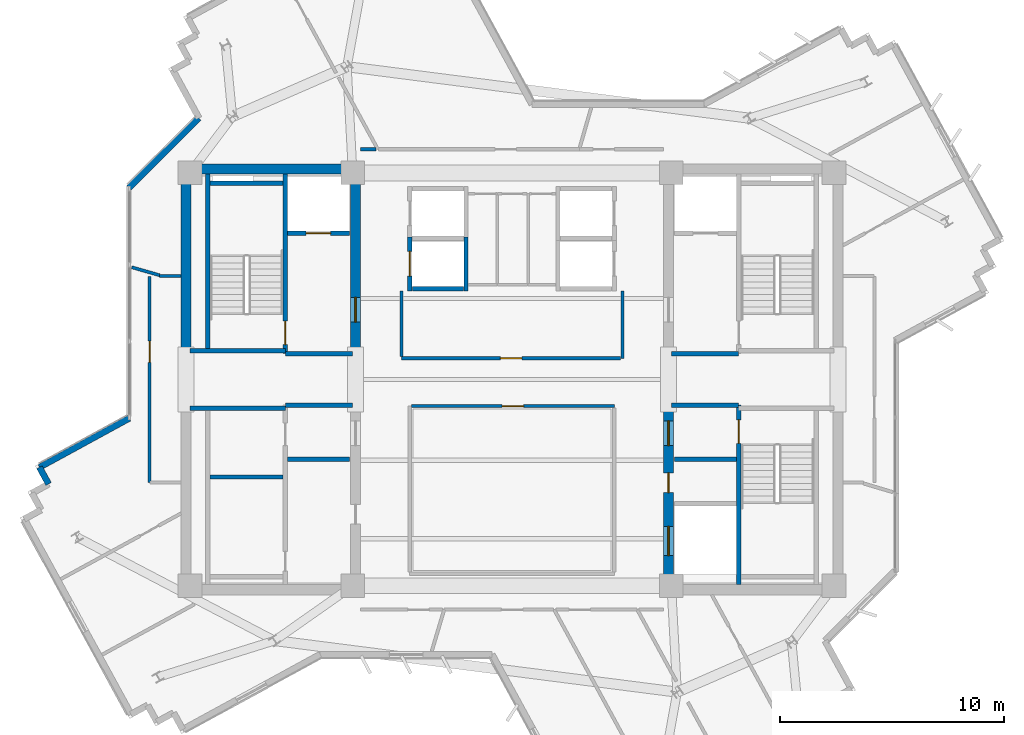
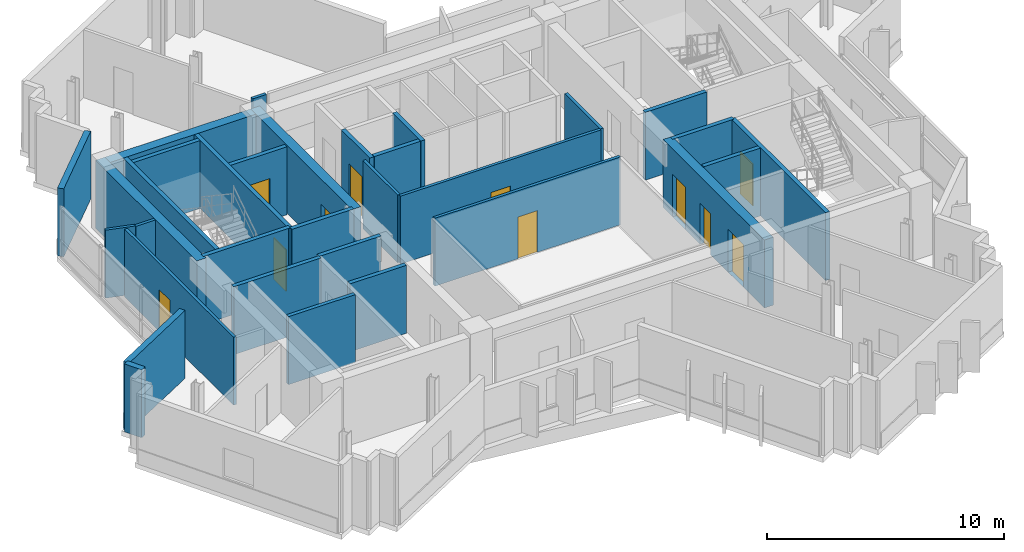
# One storey, part 6 of 13: 32 walls, 11 doors, 11 openings.
"""IFC4 building model written with IfcOpenShell, lengths in metres."""

import ifcopenshell
import ifcopenshell.guid

model = None  # the IFC model being written
_history = None  # IfcOwnerHistory: only IFC2X3 demands one
_inside = {}  # id of a spatial element -> (the spatial element, [elements in it])
_under = {}  # id of a project, library or spatial element -> (it, [spatial elements below it])
_declared = {}  # id of a project -> (the project, [libraries it declares])
_typed = {}  # id of a type object -> (the type object, [elements of that type])
_made_of = {}  # id of a material, layer set ... -> (it, [elements and type objects made of it])


def new_model(schema):
    """Start an empty IFC model of exactly this schema.

    Asked for "IFC4X3", IfcOpenShell would pick the latest addendum, in which some entities
    have other attributes; the version numbers below select the first issue.
    IFC2X3 requires an IfcOwnerHistory on every rooted entity: one is made here for all.
    """
    global model, _history
    if schema == "IFC4X3":
        model = ifcopenshell.file(schema_version=(4, 3, 0, 0))
    else:
        model = ifcopenshell.file(schema=schema)
    _inside.clear()
    _under.clear()
    _declared.clear()
    _typed.clear()
    _made_of.clear()
    _history = None
    if model.schema == "IFC2X3":
        org = make("IfcOrganization", Name="unknown")
        user = make(
            "IfcPersonAndOrganization",
            ThePerson=make("IfcPerson", FamilyName="unknown"),
            TheOrganization=org,
        )
        app = make(
            "IfcApplication",
            ApplicationDeveloper=org,
            Version="unknown",
            ApplicationFullName="unknown",
            ApplicationIdentifier="unknown",
        )
        _history = make(
            "IfcOwnerHistory",
            OwningUser=user,
            OwningApplication=app,
            ChangeAction="ADDED",
            CreationDate=0,
        )
    return model


def make(cls, **values):
    """One entity of the class cls with the attributes given. An attribute that is None is left unset."""
    return model.create_entity(
        cls, **{name: value for name, value in values.items() if value is not None}
    )


def rooted(cls, **values):
    """An entity with a GlobalId (a new one), such as an element, a storey or a relation."""
    return make(cls, GlobalId=ifcopenshell.guid.new(), OwnerHistory=_history, **values)


def si_unit(unit_type, name, prefix=None):
    """IfcSIUnit, for example si_unit("LENGTHUNIT", "METRE", prefix="MILLI")."""
    return make("IfcSIUnit", UnitType=unit_type, Prefix=prefix, Name=name)


def assignment(units):
    """IfcUnitAssignment: the units of a project."""
    return None if units is None else make("IfcUnitAssignment", Units=units)


def point(xyz):
    """IfcCartesianPoint."""
    return None if xyz is None else make("IfcCartesianPoint", Coordinates=xyz)


def direction(xyz):
    """IfcDirection."""
    return None if xyz is None else make("IfcDirection", DirectionRatios=xyz)


def frame(location, z_axis=None, x_axis=None):
    """IfcAxis2Placement3D, a coordinate frame: its origin and axes. An axis left out is left unset."""
    return make(
        "IfcAxis2Placement3D",
        Location=point(location),
        Axis=direction(z_axis),
        RefDirection=direction(x_axis),
    )


def frame_2d(location, x_axis=None):
    """IfcAxis2Placement2D, a coordinate frame in the plane: its origin and x axis."""
    return make(
        "IfcAxis2Placement2D", Location=point(location), RefDirection=direction(x_axis)
    )


def origin():
    """The frame at (0, 0, 0) with its axes left unset."""
    return frame((0.0, 0.0, 0.0))


def place(relative_to, where):
    """IfcLocalPlacement: puts the frame where relative to a parent placement (None: the world)."""
    return make(
        "IfcLocalPlacement", PlacementRelTo=relative_to, RelativePlacement=where
    )


def context(
    kind, dimensions, precision=None, world=None, true_north=None, identifier=None
):
    """IfcGeometricRepresentationContext, for example the 3D "Model" context."""
    return make(
        "IfcGeometricRepresentationContext",
        ContextIdentifier=identifier,
        ContextType=kind,
        CoordinateSpaceDimension=dimensions,
        Precision=precision,
        WorldCoordinateSystem=world,
        TrueNorth=true_north,
    )


def subcontext(parent, identifier, kind, view, scale=None):
    """IfcGeometricRepresentationSubContext, for example "Body" below "Model"."""
    return make(
        "IfcGeometricRepresentationSubContext",
        ContextIdentifier=identifier,
        ContextType=kind,
        ParentContext=parent,
        TargetScale=scale,
        TargetView=view,
    )


def project(units=None, contexts=None):
    """IfcProject with its units and contexts."""
    return rooted(
        "IfcProject",
        Name="project",
        RepresentationContexts=contexts,
        UnitsInContext=assignment(units),
    )


def spatial(cls, under=None, at=None, **own):
    """A site, building, storey or space (cls), placed at a placement, below another one or the project."""
    s = rooted(cls, ObjectPlacement=at, **own)
    if under is not None:
        _under.setdefault(under.id(), (under, []))[1].append(s)
    return s


def profile(cls, at=None, kind="AREA", **sizes):
    """A parametric profile (cls). Its sizes go by their IFC names, for example OverallWidth=200.0."""
    return make(cls, ProfileType=kind, Position=at, **sizes)


def rectangle(**sizes):
    """IfcRectangleProfileDef."""
    return profile("IfcRectangleProfileDef", **sizes)


def extrude(swept, where, along, depth):
    """IfcExtrudedAreaSolid: the profile swept, set in the frame where, extruded along a direction by depth."""
    return make(
        "IfcExtrudedAreaSolid",
        SweptArea=swept,
        Position=where,
        ExtrudedDirection=direction(along),
        Depth=depth,
    )


def shape(context_of_items, identifier, shape_type, items):
    """IfcShapeRepresentation: the items that make up one representation, for example the "Body"."""
    return make(
        "IfcShapeRepresentation",
        ContextOfItems=context_of_items,
        RepresentationIdentifier=identifier,
        RepresentationType=shape_type,
        Items=items,
    )


def source(mapping_origin, context_of_items, identifier, shape_type, items):
    """IfcRepresentationMap: a shape defined once, which mapped items show again and again."""
    return make(
        "IfcRepresentationMap",
        MappingOrigin=mapping_origin,
        MappedRepresentation=shape(context_of_items, identifier, shape_type, items),
    )


def transform(
    local_origin,
    x_axis=None,
    y_axis=None,
    z_axis=None,
    scale=None,
    scale2=None,
    scale3=None,
    uniform=True,
):
    """IfcCartesianTransformationOperator3D, or its non-uniform kind. x_axis, y_axis, z_axis: its Axis1, 2, 3."""
    if uniform:
        return make(
            "IfcCartesianTransformationOperator3D",
            Axis1=direction(x_axis),
            Axis2=direction(y_axis),
            LocalOrigin=point(local_origin),
            Scale=scale,
            Axis3=direction(z_axis),
        )
    return make(
        "IfcCartesianTransformationOperator3DnonUniform",
        Axis1=direction(x_axis),
        Axis2=direction(y_axis),
        LocalOrigin=point(local_origin),
        Scale=scale,
        Axis3=direction(z_axis),
        Scale2=scale2,
        Scale3=scale3,
    )


def mapped(mapping_source, mapping_target):
    """IfcMappedItem: shows the shape of a source again, moved by a transform."""
    return make(
        "IfcMappedItem", MappingSource=mapping_source, MappingTarget=mapping_target
    )


def material(Name=None, Category=None):
    """IfcMaterial."""
    return make("IfcMaterial", Name=Name, Category=Category)


def layer(
    of_material, thickness, ventilated=None, Name=None, Category=None, Priority=None
):
    """IfcMaterialLayer: one layer of a wall or slab, of a material (None: an air gap)."""
    return make(
        "IfcMaterialLayer",
        Material=of_material,
        LayerThickness=thickness,
        IsVentilated=ventilated,
        Name=Name,
        Category=Category,
        Priority=Priority,
    )


def layer_set(layers, Name=None):
    """IfcMaterialLayerSet."""
    return make("IfcMaterialLayerSet", MaterialLayers=layers, LayerSetName=Name)


def made_of(thing, what):
    """Note that an element or type object is made of a material, layer set ...; save() writes the relation."""
    if what is not None:
        _made_of.setdefault(what.id(), (what, []))[1].append(thing)
    return thing


def type_object(cls, material=None, **own):
    """A type object (cls), such as IfcWallType, which elements share."""
    return made_of(rooted(cls, **own), material)


def element(
    cls,
    number,
    at=None,
    inside=None,
    cuts=None,
    type_object=None,
    material=None,
    context=None,
    identifier="Body",
    shape_type=None,
    held_by="IfcProductDefinitionShape",
    body=None,
    shapes=None,
    **own,
):
    """One element of the class cls, such as IfcWall. Its Tag is "e" and its number.

    at: its placement. inside: the storey or other place that contains it. cuts: it is an
    opening in that element (IfcRelVoidsElement). A single representation is given by context,
    identifier, shape_type and body (its items); several are given by shapes. held_by: the class
    of the entity that holds the representations. save() writes the other relations.
    """
    e = rooted(cls, Tag="e%d" % number, ObjectPlacement=at, **own)
    if body is not None:
        shapes = [shape(context, identifier, shape_type, body)]
    if shapes is not None:
        e.Representation = make(held_by, Representations=shapes)
    if inside is not None:
        _inside.setdefault(inside.id(), (inside, []))[1].append(e)
    if cuts is not None:
        rooted(
            "IfcRelVoidsElement", RelatingBuildingElement=cuts, RelatedOpeningElement=e
        )
    if type_object is not None:
        _typed.setdefault(type_object.id(), (type_object, []))[1].append(e)
    return made_of(e, material)


def fill(opening, filler):
    """IfcRelFillsElement: the door or window that sits in an opening."""
    return rooted(
        "IfcRelFillsElement",
        RelatingOpeningElement=opening,
        RelatedBuildingElement=filler,
    )


def aggregate(whole, parts):
    """IfcRelAggregates: a whole, such as a stair, and the parts it consists of."""
    return rooted("IfcRelAggregates", RelatingObject=whole, RelatedObjects=parts)


def save(model, path):
    """Write the relations noted so far, then the file.

    IfcRelAggregates (storeys below a building ...), IfcRelContainedInSpatialStructure (elements
    in a storey), IfcRelDefinesByType, IfcRelAssociatesMaterial and IfcRelDeclares: one each for
    every whole, place, type object, material and project.
    """
    for whole, parts in _under.values():
        aggregate(whole, parts)
    for where, things in _inside.values():
        rooted(
            "IfcRelContainedInSpatialStructure",
            RelatedElements=things,
            RelatingStructure=where,
        )
    for kind, things in _typed.values():
        rooted("IfcRelDefinesByType", RelatedObjects=things, RelatingType=kind)
    for what, things in _made_of.values():
        rooted("IfcRelAssociatesMaterial", RelatedObjects=things, RelatingMaterial=what)
    for by, libraries in _declared.values():
        rooted("IfcRelDeclares", RelatingContext=by, RelatedDefinitions=libraries)
    model.write(path)


model = new_model("IFC4")

# Units and contexts
model_context = context("Model", 3, precision=1e-05, world=origin(), true_north=direction((0.0, 1.0)))
body_context = subcontext(model_context, "Body", "Model", "MODEL_VIEW")
ifc_project = project(units=[si_unit("LENGTHUNIT", "METRE"), si_unit("AREAUNIT", "SQUARE_METRE"), si_unit("VOLUMEUNIT", "CUBIC_METRE"), si_unit("PLANEANGLEUNIT", "RADIAN"), si_unit("MASSUNIT", "GRAM", prefix="KILO")], contexts=[model_context])

# Site, building, storey
site_placement = place(None, origin())
site = spatial("IfcSite", under=ifc_project, at=site_placement, CompositionType="ELEMENT")
building_placement = place(site_placement, origin())
building = spatial("IfcBuilding", under=site, at=building_placement, Name="Zahravan Cultural Tower", CompositionType="ELEMENT")
storey_placement = place(building_placement, frame((0.0, 0.0, 250.35009765625)))
storey = spatial("IfcBuildingStorey", under=building, at=storey_placement, Name="L59", CompositionType="ELEMENT", Elevation=250.35009765625)

# Wall, opening, door
ifc_material_1 = material(Name="Concrete C50/60", Category="concrete")
ifc_layer_1 = layer(ifc_material_1, 0.449951171875)
ifc_layer_set_1 = layer_set([ifc_layer_1], Name="Concrete C50/60")
wall_type_1 = type_object("IfcWallType", Name="CW-SHEAR-450-C50", PredefinedType="SHEAR", material=ifc_layer_set_1)
wall_1_placement = place(storey_placement, frame((29.02490234375, 28.050048828125, 0.0), z_axis=(0.0, 0.0, 1.0), x_axis=(0.0, 1.0, 0.0)))
wall_1 = element("IfcWall", 1, at=wall_1_placement, inside=storey, type_object=wall_type_1, Name="L59 Core Shear Wall CW-W-EN-L59", PredefinedType="SHEAR", context=body_context, shape_type="SweptSolid", body=[
    extrude(rectangle(XDim=8.550048828125, YDim=0.449951171875, at=frame_2d((4.27490234375, 0.0))), origin(), (0.0, 0.0, 1.0), 3.5),
])
opening_1_placement = place(wall_1_placement, frame((1.5, 0.0, 0.0)))
opening_1 = element("IfcOpeningElement", 2, at=opening_1_placement, cuts=wall_1, Name="Opening D-L59-06", PredefinedType="OPENING", context=body_context, shape_type="SweptSolid", body=[
    extrude(rectangle(XDim=1.10009765625, YDim=2.199951171875, at=frame_2d((0.550048828125, 1.10009765625))), frame((0.0, 0.23486328125, 0.0), z_axis=(0.0, -1.0, 0.0), x_axis=(1.0, 0.0, 0.0)), (0.0, 0.0, 1.0), 0.469970703125),
])
ifc_material_2 = material(Name="Steel ASTM A572 Grade 50", Category="steel")
door_type_1 = type_object("IfcDoorType", Name="DR-LOBBY-1100", OperationType="NOTDEFINED", PredefinedType="DOOR", material=ifc_material_2)
shared_shape_1 = source(origin(), body_context, "Body", "SweptSolid", [
    extrude(rectangle(XDim=1.10009765625, YDim=2.199951171875, at=frame_2d((0.550048828125, 1.10009765625))), frame((0.0, 0.02490234375, 0.0), z_axis=(0.0, -1.0, 0.0), x_axis=(1.0, 0.0, 0.0)), (0.0, 0.0, 1.0), 0.050048828125),
])
door_1_placement = place(opening_1_placement, origin())
door_1 = element("IfcDoor", 3, at=door_1_placement, inside=storey, type_object=door_type_1, Name="L59 Door D-L59-06", OperationType="SINGLE_SWING_RIGHT", OverallHeight=2.199951171875, OverallWidth=1.10009765625, PredefinedType="DOOR", context=body_context, shape_type="MappedRepresentation", body=[
    mapped(shared_shape_1, transform((0.0, 0.0, 0.0), x_axis=(1.0, 0.0, 0.0), y_axis=(0.0, 1.0, 0.0), z_axis=(0.0, 0.0, 1.0), scale=1.0)),
])
fill(opening_1, door_1)

# Wall, openings, doors
wall_2_placement = place(storey_placement, frame((42.97509765625, 17.39990234375, 0.0), z_axis=(0.0, 0.0, 1.0), x_axis=(0.0, 1.0, 0.0)))
wall_2 = element("IfcWall", 4, at=wall_2_placement, inside=storey, type_object=wall_type_1, Name="L59 Core Shear Wall CW-E-WS-L59", PredefinedType="SHEAR", context=body_context, shape_type="SweptSolid", body=[
    extrude(rectangle(XDim=8.550048828125, YDim=0.449951171875, at=frame_2d((4.27490234375, 0.0))), origin(), (0.0, 0.0, 1.0), 3.5),
])
opening_2_placement = place(wall_2_placement, frame((6.64990234375, 0.0, 0.0)))
opening_2 = element("IfcOpeningElement", 5, at=opening_2_placement, cuts=wall_2, Name="Opening D-L59-09", PredefinedType="OPENING", context=body_context, shape_type="SweptSolid", body=[
    extrude(rectangle(XDim=1.10009765625, YDim=2.199951171875, at=frame_2d((0.550048828125, 1.10009765625))), frame((0.0, 0.23486328125, 0.0), z_axis=(0.0, -1.0, 0.0), x_axis=(1.0, 0.0, 0.0)), (0.0, 0.0, 1.0), 0.469970703125),
])
opening_3_placement = place(wall_2_placement, frame((1.75, 0.0, 0.0)))
opening_3 = element("IfcOpeningElement", 6, at=opening_3_placement, cuts=wall_2, Name="Opening LD-L59-03", PredefinedType="OPENING", context=body_context, shape_type="SweptSolid", body=[
    extrude(rectangle(XDim=1.300048828125, YDim=2.199951171875, at=frame_2d((0.64990234375, 1.10009765625))), frame((0.0, 0.23486328125, 0.0), z_axis=(0.0, -1.0, 0.0), x_axis=(1.0, 0.0, 0.0)), (0.0, 0.0, 1.0), 0.469970703125),
])
opening_4_placement = place(wall_2_placement, frame((4.550048828125, 0.0, 0.0)))
opening_4 = element("IfcOpeningElement", 7, at=opening_4_placement, cuts=wall_2, Name="Opening D-L59-11", PredefinedType="OPENING", context=body_context, shape_type="SweptSolid", body=[
    extrude(rectangle(XDim=0.8798828125, YDim=2.10009765625, at=frame_2d((0.43994140625, 1.050048828125))), frame((0.0, 0.23486328125, 0.0), z_axis=(0.0, -1.0, 0.0), x_axis=(1.0, 0.0, 0.0)), (0.0, 0.0, 1.0), 0.469970703125),
])
door_2_placement = place(opening_2_placement, origin())
door_2 = element("IfcDoor", 8, at=door_2_placement, inside=storey, type_object=door_type_1, Name="L59 Door D-L59-09", OperationType="SINGLE_SWING_LEFT", OverallHeight=2.199951171875, OverallWidth=1.10009765625, PredefinedType="DOOR", context=body_context, shape_type="MappedRepresentation", body=[
    mapped(shared_shape_1, transform((0.0, 0.0, 0.0), x_axis=(1.0, 0.0, 0.0), y_axis=(0.0, 1.0, 0.0), z_axis=(0.0, 0.0, 1.0), scale=1.0)),
])
fill(opening_2, door_2)
door_type_2 = type_object("IfcDoorType", Name="DR-LIFT-1300", OperationType="DOUBLE_DOOR_SLIDING", PredefinedType="DOOR", material=ifc_material_2)
shared_shape_2 = source(origin(), body_context, "Body", "SweptSolid", [
    extrude(rectangle(XDim=1.300048828125, YDim=2.199951171875, at=frame_2d((0.64990234375, 1.10009765625))), frame((0.0, 0.02490234375, 0.0), z_axis=(0.0, -1.0, 0.0), x_axis=(1.0, 0.0, 0.0)), (0.0, 0.0, 1.0), 0.050048828125),
])
door_3_placement = place(opening_3_placement, origin())
door_3 = element("IfcDoor", 9, at=door_3_placement, inside=storey, type_object=door_type_2, Name="L59 Door LD-L59-03", OperationType="DOUBLE_DOOR_SLIDING", OverallHeight=2.199951171875, OverallWidth=1.300048828125, PredefinedType="DOOR", context=body_context, shape_type="MappedRepresentation", body=[
    mapped(shared_shape_2, transform((0.0, 0.0, 0.0), x_axis=(1.0, 0.0, 0.0), y_axis=(0.0, 1.0, 0.0), z_axis=(0.0, 0.0, 1.0), scale=1.0)),
])
fill(opening_3, door_3)
door_type_3 = type_object("IfcDoorType", Name="DR-SVC-880", OperationType="NOTDEFINED", PredefinedType="DOOR", material=ifc_material_2)
shared_shape_3 = source(origin(), body_context, "Body", "SweptSolid", [
    extrude(rectangle(XDim=0.8798828125, YDim=2.10009765625, at=frame_2d((0.43994140625, 1.050048828125))), frame((0.0, 0.02490234375, 0.0), z_axis=(0.0, -1.0, 0.0), x_axis=(1.0, 0.0, 0.0)), (0.0, 0.0, 1.0), 0.050048828125),
])
door_4_placement = place(opening_4_placement, origin())
door_4 = element("IfcDoor", 10, at=door_4_placement, inside=storey, type_object=door_type_3, Name="L59 Door D-L59-11", OperationType="SINGLE_SWING_LEFT", OverallHeight=2.10009765625, OverallWidth=0.8798828125, PredefinedType="DOOR", context=body_context, shape_type="MappedRepresentation", body=[
    mapped(shared_shape_3, transform((0.0, 0.0, 0.0), x_axis=(1.0, 0.0, 0.0), y_axis=(0.0, 1.0, 0.0), z_axis=(0.0, 0.0, 1.0), scale=1.0)),
])
fill(opening_4, door_4)

# Wall, opening, door
ifc_material_3 = material(Name="Gypsum plasterboard partition")
ifc_layer_2 = layer(ifc_material_3, 0.139892578125)
ifc_layer_set_2 = layer_set([ifc_layer_2], Name="Gypsum plasterboard partition")
wall_type_2 = type_object("IfcWallType", Name="W-PART-140", PredefinedType="PARTITIONING", material=ifc_layer_set_2)
wall_3_placement = place(storey_placement, frame((40.844970703125, 27.93994140625, 0.0), z_axis=(0.0, 0.0, 1.0), x_axis=(-1.0, 0.0, 0.0)))
wall_3 = element("IfcWall", 11, at=wall_3_placement, inside=storey, type_object=wall_type_2, Name="L59 Interior Wall 058", PredefinedType="PARTITIONING", context=body_context, shape_type="SweptSolid", body=[
    extrude(rectangle(XDim=9.764892578125, YDim=0.139892578125, at=frame_2d((4.88232421875, 0.0))), origin(), (0.0, 0.0, 1.0), 3.5),
])
opening_5_placement = place(wall_3_placement, frame((4.407470703125, 0.0, 0.0)))
opening_5 = element("IfcOpeningElement", 12, at=opening_5_placement, cuts=wall_3, Name="Opening D-L59-16", PredefinedType="OPENING", context=body_context, shape_type="SweptSolid", body=[
    extrude(rectangle(XDim=0.949951171875, YDim=2.14990234375, at=frame_2d((0.47509765625, 1.074951171875))), frame((0.0, 0.079833984375, 0.0), z_axis=(0.0, -1.0, 0.0), x_axis=(1.0, 0.0, 0.0)), (0.0, 0.0, 1.0), 0.159912109375),
])
ifc_material_4 = material(Name="Anodised bronze-aluminium mullion", Category="aluminium")
door_type_4 = type_object("IfcDoorType", Name="DR-ROOM-950", OperationType="NOTDEFINED", PredefinedType="DOOR", material=ifc_material_4)
shared_shape_4 = source(origin(), body_context, "Body", "SweptSolid", [
    extrude(rectangle(XDim=0.949951171875, YDim=2.14990234375, at=frame_2d((0.47509765625, 1.074951171875))), frame((0.0, 0.02490234375, 0.0), z_axis=(0.0, -1.0, 0.0), x_axis=(1.0, 0.0, 0.0)), (0.0, 0.0, 1.0), 0.050048828125),
])
door_5_placement = place(opening_5_placement, origin())
door_5 = element("IfcDoor", 13, at=door_5_placement, inside=storey, type_object=door_type_4, Name="L59 Door D-L59-16", OperationType="SINGLE_SWING_RIGHT", OverallHeight=2.14990234375, OverallWidth=0.949951171875, PredefinedType="DOOR", context=body_context, shape_type="MappedRepresentation", body=[
    mapped(shared_shape_4, transform((0.0, 0.0, 0.0), x_axis=(1.0, 0.0, 0.0), y_axis=(0.0, 1.0, 0.0), z_axis=(0.0, 0.0, 1.0), scale=1.0)),
])
fill(opening_5, door_5)

wall_4_placement = place(storey_placement, frame((19.85009765625, 31.593994140625, 0.0), z_axis=(0.0, 0.0, 1.0), x_axis=(2.657666e-05, -0.999999999647, 0.0)))
wall_4 = element("IfcWall", 14, at=wall_4_placement, inside=storey, type_object=wall_type_2, Name="L59 Interior Wall 064", PredefinedType="PARTITIONING", context=body_context, shape_type="SweptSolid", body=[
    extrude(rectangle(XDim=9.186279296875, YDim=0.139892578125, at=frame_2d((4.59326171875, 0.0))), origin(), (0.0, 0.0, 1.0), 3.5),
])
opening_6_placement = place(wall_4_placement, frame((2.8828125, 0.0, 0.0)))
opening_6 = element("IfcOpeningElement", 15, at=opening_6_placement, cuts=wall_4, Name="Opening D-L59-20", PredefinedType="OPENING", context=body_context, shape_type="SweptSolid", body=[
    extrude(rectangle(XDim=0.949951171875, YDim=2.14990234375, at=frame_2d((0.47509765625, 1.074951171875))), frame((0.0, 0.079833984375, 0.0), z_axis=(0.0, -1.0, 0.0), x_axis=(1.0, 0.0, 0.0)), (0.0, 0.0, 1.0), 0.159912109375),
])
door_6_placement = place(opening_6_placement, origin())
door_6 = element("IfcDoor", 16, at=door_6_placement, inside=storey, type_object=door_type_4, Name="L59 Door D-L59-20", OperationType="SINGLE_SWING_RIGHT", OverallHeight=2.14990234375, OverallWidth=0.949951171875, PredefinedType="DOOR", context=body_context, shape_type="MappedRepresentation", body=[
    mapped(shared_shape_4, transform((0.0, 0.0, 0.0), x_axis=(1.0, 0.0, 0.0), y_axis=(0.0, 1.0, 0.0), z_axis=(0.0, 0.0, 1.0), scale=1.0)),
])
fill(opening_6, door_6)

wall_5_placement = place(storey_placement, frame((31.514892578125, 25.81005859375, 0.0), z_axis=(0.0, 0.0, 1.0), x_axis=(1.0, 0.0, 0.0)))
wall_5 = element("IfcWall", 17, at=wall_5_placement, inside=storey, type_object=wall_type_2, Name="L59 Interior Wall 083", PredefinedType="PARTITIONING", context=body_context, shape_type="SweptSolid", body=[
    extrude(rectangle(XDim=9.045166015625, YDim=0.139892578125, at=frame_2d((4.5224609375, 0.0))), origin(), (0.0, 0.0, 1.0), 3.5),
])
opening_7_placement = place(wall_5_placement, frame((4.047607421875, 0.0, 0.0)))
opening_7 = element("IfcOpeningElement", 18, at=opening_7_placement, cuts=wall_5, Name="Opening D-L59-12", PredefinedType="OPENING", context=body_context, shape_type="SweptSolid", body=[
    extrude(rectangle(XDim=0.949951171875, YDim=2.14990234375, at=frame_2d((0.47509765625, 1.074951171875))), frame((0.0, 0.079833984375, 0.0), z_axis=(0.0, -1.0, 0.0), x_axis=(1.0, 0.0, 0.0)), (0.0, 0.0, 1.0), 0.159912109375),
])
door_7_placement = place(opening_7_placement, origin())
door_7 = element("IfcDoor", 19, at=door_7_placement, inside=storey, type_object=door_type_4, Name="L59 Door D-L59-12", OperationType="SINGLE_SWING_RIGHT", OverallHeight=2.14990234375, OverallWidth=0.949951171875, PredefinedType="DOOR", context=body_context, shape_type="MappedRepresentation", body=[
    mapped(shared_shape_4, transform((0.0, 0.0, 0.0), x_axis=(1.0, 0.0, 0.0), y_axis=(0.0, 1.0, 0.0), z_axis=(0.0, 0.0, 1.0), scale=1.0)),
])
fill(opening_7, door_7)

ifc_material_5 = material(Name="Concrete C45/55", Category="concrete")
ifc_layer_3 = layer(ifc_material_5, 0.199951171875)
ifc_layer_set_3 = layer_set([ifc_layer_3], Name="Concrete C45/55")
wall_type_3 = type_object("IfcWallType", Name="W-SHAFT-200", PredefinedType="SOLIDWALL", material=ifc_layer_set_3)
wall_6_placement = place(storey_placement, frame((25.89990234375, 28.14990234375, 0.0), z_axis=(0.0, 0.0, 1.0), x_axis=(0.0, 1.0, 0.0)))
wall_6 = element("IfcWall", 20, at=wall_6_placement, inside=storey, type_object=wall_type_3, Name="L59 Interior Wall 006", PredefinedType="SOLIDWALL", context=body_context, shape_type="SweptSolid", body=[
    extrude(rectangle(XDim=8.0, YDim=0.199951171875, at=frame_2d((4.0, 0.0))), origin(), (0.0, 0.0, 1.0), 3.5),
])
opening_8_placement = place(wall_6_placement, frame((0.39990234375, 0.0, 0.0)))
opening_8 = element("IfcOpeningElement", 21, at=opening_8_placement, cuts=wall_6, Name="Opening D-L59-01", PredefinedType="OPENING", context=body_context, shape_type="SweptSolid", body=[
    extrude(rectangle(XDim=1.050048828125, YDim=2.14990234375, at=frame_2d((0.52490234375, 1.074951171875))), frame((0.0, 0.10986328125, 0.0), z_axis=(0.0, -1.0, 0.0), x_axis=(1.0, 0.0, 0.0)), (0.0, 0.0, 1.0), 0.219970703125),
])
door_type_5 = type_object("IfcDoorType", Name="DR-STAIR-1050", OperationType="NOTDEFINED", PredefinedType="DOOR", material=ifc_material_2)
shared_shape_5 = source(origin(), body_context, "Body", "SweptSolid", [
    extrude(rectangle(XDim=1.050048828125, YDim=2.14990234375, at=frame_2d((0.52490234375, 1.074951171875))), frame((0.0, 0.02490234375, 0.0), z_axis=(0.0, -1.0, 0.0), x_axis=(1.0, 0.0, 0.0)), (0.0, 0.0, 1.0), 0.050048828125),
])
door_8_placement = place(opening_8_placement, origin())
door_8 = element("IfcDoor", 22, at=door_8_placement, inside=storey, type_object=door_type_5, Name="L59 Door D-L59-01", OperationType="SINGLE_SWING_LEFT", OverallHeight=2.14990234375, OverallWidth=1.050048828125, PredefinedType="DOOR", context=body_context, shape_type="MappedRepresentation", body=[
    mapped(shared_shape_5, transform((0.0, 0.0, 0.0), x_axis=(1.0, 0.0, 0.0), y_axis=(0.0, 1.0, 0.0), z_axis=(0.0, 0.0, 1.0), scale=1.0)),
])
fill(opening_8, door_8)

wall_7_placement = place(storey_placement, frame((46.10009765625, 17.85009765625, 0.0), z_axis=(0.0, 0.0, 1.0), x_axis=(0.0, 1.0, 0.0)))
wall_7 = element("IfcWall", 23, at=wall_7_placement, inside=storey, type_object=wall_type_3, Name="L59 Interior Wall 007", PredefinedType="SOLIDWALL", context=body_context, shape_type="SweptSolid", body=[
    extrude(rectangle(XDim=8.0, YDim=0.199951171875, at=frame_2d((4.0, 0.0))), origin(), (0.0, 0.0, 1.0), 3.5),
])
opening_9_placement = place(wall_7_placement, frame((6.300048828125, 0.0, 0.0)))
opening_9 = element("IfcOpeningElement", 24, at=opening_9_placement, cuts=wall_7, Name="Opening D-L59-03", PredefinedType="OPENING", context=body_context, shape_type="SweptSolid", body=[
    extrude(rectangle(XDim=1.050048828125, YDim=2.14990234375, at=frame_2d((0.52490234375, 1.074951171875))), frame((0.0, 0.10986328125, 0.0), z_axis=(0.0, -1.0, 0.0), x_axis=(1.0, 0.0, 0.0)), (0.0, 0.0, 1.0), 0.219970703125),
])
door_9_placement = place(opening_9_placement, origin())
door_9 = element("IfcDoor", 25, at=door_9_placement, inside=storey, type_object=door_type_5, Name="L59 Door D-L59-03", OperationType="SINGLE_SWING_LEFT", OverallHeight=2.14990234375, OverallWidth=1.050048828125, PredefinedType="DOOR", context=body_context, shape_type="MappedRepresentation", body=[
    mapped(shared_shape_5, transform((0.0, 0.0, 0.0), x_axis=(1.0, 0.0, 0.0), y_axis=(0.0, 1.0, 0.0), z_axis=(0.0, 0.0, 1.0), scale=1.0)),
])
fill(opening_9, door_9)

wall_8_placement = place(storey_placement, frame((26.0, 33.52001953125, 0.0), z_axis=(0.0, 0.0, 1.0), x_axis=(1.0, 0.0, 0.0)))
wall_8 = element("IfcWall", 26, at=wall_8_placement, inside=storey, type_object=wall_type_3, Name="L59 Interior Wall 022", PredefinedType="SOLIDWALL", context=body_context, shape_type="SweptSolid", body=[
    extrude(rectangle(XDim=2.75, YDim=0.199951171875, at=frame_2d((1.375, 0.0))), origin(), (0.0, 0.0, 1.0), 3.5),
])
opening_10_placement = place(wall_8_placement, frame((0.820068359375, 0.0, 0.0)))
opening_10 = element("IfcOpeningElement", 27, at=opening_10_placement, cuts=wall_8, Name="Opening LD-L59-01", PredefinedType="OPENING", context=body_context, shape_type="SweptSolid", body=[
    extrude(rectangle(XDim=1.10009765625, YDim=2.14990234375, at=frame_2d((0.550048828125, 1.074951171875))), frame((0.0, 0.10986328125, 0.0), z_axis=(0.0, -1.0, 0.0), x_axis=(1.0, 0.0, 0.0)), (0.0, 0.0, 1.0), 0.219970703125),
])
door_type_6 = type_object("IfcDoorType", Name="DR-LIFT-1100", OperationType="DOUBLE_DOOR_SLIDING", PredefinedType="DOOR", material=ifc_material_2)
shared_shape_6 = source(origin(), body_context, "Body", "SweptSolid", [
    extrude(rectangle(XDim=1.10009765625, YDim=2.14990234375, at=frame_2d((0.550048828125, 1.074951171875))), frame((0.0, 0.02490234375, 0.0), z_axis=(0.0, -1.0, 0.0), x_axis=(1.0, 0.0, 0.0)), (0.0, 0.0, 1.0), 0.050048828125),
])
door_10_placement = place(opening_10_placement, origin())
door_10 = element("IfcDoor", 28, at=door_10_placement, inside=storey, type_object=door_type_6, Name="L59 Door LD-L59-01", OperationType="DOUBLE_DOOR_SLIDING", OverallHeight=2.14990234375, OverallWidth=1.10009765625, PredefinedType="DOOR", context=body_context, shape_type="MappedRepresentation", body=[
    mapped(shared_shape_6, transform((0.0, 0.0, 0.0), x_axis=(1.0, 0.0, 0.0), y_axis=(0.0, 1.0, 0.0), z_axis=(0.0, 0.0, 1.0), scale=1.0)),
])
fill(opening_10, door_10)

wall_9_placement = place(storey_placement, frame((31.449951171875, 30.949951171875, 0.0), z_axis=(0.0, 0.0, 1.0), x_axis=(0.0, 1.0, 0.0)))
wall_9 = element("IfcWall", 29, at=wall_9_placement, inside=storey, type_object=wall_type_3, Name="L59 Interior Wall 031", PredefinedType="SOLIDWALL", context=body_context, shape_type="SweptSolid", body=[
    extrude(rectangle(XDim=2.400146484375, YDim=0.199951171875, at=frame_2d((1.2001953125, 0.0))), origin(), (0.0, 0.0, 1.0), 3.5),
])
opening_11_placement = place(wall_9_placement, frame((0.64990234375, 0.0, 0.0)))
opening_11 = element("IfcOpeningElement", 30, at=opening_11_placement, cuts=wall_9, Name="Opening LD-L59-05", PredefinedType="OPENING", context=body_context, shape_type="SweptSolid", body=[
    extrude(rectangle(XDim=1.10009765625, YDim=2.14990234375, at=frame_2d((0.550048828125, 1.074951171875))), frame((0.0, 0.10986328125, 0.0), z_axis=(0.0, -1.0, 0.0), x_axis=(1.0, 0.0, 0.0)), (0.0, 0.0, 1.0), 0.219970703125),
])
door_11_placement = place(opening_11_placement, origin())
door_11 = element("IfcDoor", 31, at=door_11_placement, inside=storey, type_object=door_type_6, Name="L59 Door LD-L59-05", OperationType="DOUBLE_DOOR_SLIDING", OverallHeight=2.14990234375, OverallWidth=1.10009765625, PredefinedType="DOOR", context=body_context, shape_type="MappedRepresentation", body=[
    mapped(shared_shape_6, transform((0.0, 0.0, 0.0), x_axis=(1.0, 0.0, 0.0), y_axis=(0.0, 1.0, 0.0), z_axis=(0.0, 0.0, 1.0), scale=1.0)),
])
fill(opening_11, door_11)

# Walls
shared_shape_7 = source(origin(), body_context, "Body", "SweptSolid", [
    extrude(rectangle(XDim=8.550048828125, YDim=0.449951171875, at=frame_2d((4.27490234375, 0.0))), origin(), (0.0, 0.0, 1.0), 3.5),
])
wall_10_placement = place(storey_placement, frame((21.47509765625, 28.050048828125, 0.0), z_axis=(0.0, 0.0, 1.0), x_axis=(0.0, 1.0, 0.0)))
element("IfcWall", 32, at=wall_10_placement, inside=storey, type_object=wall_type_1, Name="L59 Core Shear Wall CW-W-WN-L59", PredefinedType="SHEAR", context=body_context, shape_type="MappedRepresentation", body=[
    mapped(shared_shape_7, transform((0.0, 0.0, 0.0), x_axis=(1.0, 0.0, 0.0), y_axis=(0.0, 1.0, 0.0), z_axis=(0.0, 0.0, 1.0), scale=1.0)),
])
shared_shape_8 = source(origin(), body_context, "Body", "SweptSolid", [
    extrude(rectangle(XDim=7.10009765625, YDim=0.449951171875, at=frame_2d((3.550048828125, 0.0))), origin(), (0.0, 0.0, 1.0), 3.5),
])
wall_11_placement = place(storey_placement, frame((21.699951171875, 36.375, 0.0), z_axis=(0.0, 0.0, 1.0), x_axis=(1.0, 0.0, 0.0)))
element("IfcWall", 33, at=wall_11_placement, inside=storey, type_object=wall_type_1, Name="L59 Core Shear Wall CW-W-N-L59", PredefinedType="SHEAR", context=body_context, shape_type="MappedRepresentation", body=[
    mapped(shared_shape_8, transform((0.0, 0.0, 0.0), x_axis=(1.0, 0.0, 0.0), y_axis=(0.0, 1.0, 0.0), z_axis=(0.0, 0.0, 1.0), scale=1.0)),
])
ifc_material_6 = material(Name="Precast concrete C40/50", Category="concrete")
ifc_layer_4 = layer(ifc_material_6, 0.280029296875)
ifc_layer_set_4 = layer_set([ifc_layer_4], Name="Precast concrete C40/50")
wall_type_4 = type_object("IfcWallType", Name="EW-TC-280", PredefinedType="SOLIDWALL", material=ifc_layer_set_4)
shared_shape_9 = source(origin(), body_context, "Body", "SweptSolid", [
    extrude(rectangle(XDim=0.85009765625, YDim=0.280029296875, at=frame_2d((0.425048828125, 0.0))), origin(), (0.0, 0.0, 1.0), 3.5),
])
wall_12_placement = place(storey_placement, frame((15.34716796875, 22.3369140625, 0.0), z_axis=(0.0, 0.0, 1.0), x_axis=(-0.479314855696, 0.877643019177, 0.0)))
element("IfcWall", 34, at=wall_12_placement, inside=storey, type_object=wall_type_4, Name="L59 Exterior Masonry Frame Wall 34", PredefinedType="SOLIDWALL", context=body_context, shape_type="MappedRepresentation", body=[
    mapped(shared_shape_9, transform((0.0, 0.0, 0.0), x_axis=(1.0, 0.0, 0.0), y_axis=(0.0, 1.0, 0.0), z_axis=(0.0, 0.0, 1.0), scale=1.0)),
])
shared_shape_10 = source(origin(), body_context, "Body", "SweptSolid", [
    extrude(rectangle(XDim=4.558349609375, YDim=0.280029296875, at=frame_2d((2.279296875, 0.0))), origin(), (0.0, 0.0, 1.0), 3.5),
])
wall_13_placement = place(storey_placement, frame((14.939697265625, 23.0830078125, 0.0), z_axis=(0.0, 0.0, 1.0), x_axis=(0.877563774399, 0.479459927276, 0.0)))
element("IfcWall", 35, at=wall_13_placement, inside=storey, type_object=wall_type_4, Name="L59 Exterior Masonry Frame Wall 35", PredefinedType="SOLIDWALL", context=body_context, shape_type="MappedRepresentation", body=[
    mapped(shared_shape_10, transform((0.0, 0.0, 0.0), x_axis=(1.0, 0.0, 0.0), y_axis=(0.0, 1.0, 0.0), z_axis=(0.0, 0.0, 1.0), scale=1.0)),
])
shared_shape_11 = source(origin(), body_context, "Body", "SweptSolid", [
    extrude(rectangle(XDim=4.3935546875, YDim=0.280029296875, at=frame_2d((2.19677734375, 0.0))), origin(), (0.0, 0.0, 1.0), 3.5),
])
wall_14_placement = place(storey_placement, frame((18.93994140625, 35.5419921875, 0.0), z_axis=(0.0, 0.0, 1.0), x_axis=(0.707106781187, 0.707106781187, 0.0)))
element("IfcWall", 36, at=wall_14_placement, inside=storey, type_object=wall_type_4, Name="L59 Exterior Masonry Frame Wall 36", PredefinedType="SOLIDWALL", context=body_context, shape_type="MappedRepresentation", body=[
    mapped(shared_shape_11, transform((0.0, 0.0, 0.0), x_axis=(1.0, 0.0, 0.0), y_axis=(0.0, 1.0, 0.0), z_axis=(0.0, 0.0, 1.0), scale=1.0)),
])
shared_shape_12 = source(origin(), body_context, "Body", "SweptSolid", [
    extrude(rectangle(XDim=7.869873046875, YDim=0.199951171875, at=frame_2d((3.93505859375, 0.0))), origin(), (0.0, 0.0, 1.0), 3.5),
])
wall_15_placement = place(storey_placement, frame((22.449951171875, 28.280029296875, 0.0), z_axis=(0.0, 0.0, 1.0), x_axis=(0.0, 1.0, 0.0)))
element("IfcWall", 37, at=wall_15_placement, inside=storey, type_object=wall_type_3, Name="L59 Interior Wall 002", PredefinedType="SOLIDWALL", context=body_context, shape_type="MappedRepresentation", body=[
    mapped(shared_shape_12, transform((0.0, 0.0, 0.0), x_axis=(1.0, 0.0, 0.0), y_axis=(0.0, 1.0, 0.0), z_axis=(0.0, 0.0, 1.0), scale=1.0)),
])
shared_shape_13 = source(origin(), body_context, "Body", "SweptSolid", [
    extrude(rectangle(XDim=4.25, YDim=0.199951171875, at=frame_2d((2.125, 0.0))), origin(), (0.0, 0.0, 1.0), 3.5),
])
for number, where, z_axis, x_axis, name in (
    (38, (21.64990234375, 25.715087890625, 0.0), (0.0, 0.0, 1.0), (1.0, 0.0, 0.0), "L59 Interior Wall 009"),
    (39, (21.64990234375, 28.284912109375, 0.0), (0.0, 0.0, 1.0), (1.0, 0.0, 0.0), "L59 Interior Wall 011"),
):
    element("IfcWall", number, at=place(storey_placement, frame(where, z_axis=z_axis, x_axis=x_axis)), inside=storey, type_object=wall_type_3, Name=name, PredefinedType="SOLIDWALL", context=body_context, shape_type="MappedRepresentation", body=[
        mapped(shared_shape_13, transform((0.0, 0.0, 0.0), x_axis=(1.0, 0.0, 0.0), y_axis=(0.0, 1.0, 0.0), z_axis=(0.0, 0.0, 1.0), scale=1.0)),
    ])
shared_shape_14 = source(origin(), body_context, "Body", "SweptSolid", [
    extrude(rectangle(XDim=3.0, YDim=0.199951171875, at=frame_2d((1.5, 0.0))), origin(), (0.0, 0.0, 1.0), 3.5),
])
for number, where, z_axis, x_axis, name in (
    (40, (25.89990234375, 25.85009765625, 0.0), (0.0, 0.0, 1.0), (1.0, 0.0, 0.0), "L59 Interior Wall 010"),
    (41, (25.89990234375, 28.14990234375, 0.0), (0.0, 0.0, 1.0), (1.0, 0.0, 0.0), "L59 Interior Wall 012"),
    (42, (43.10009765625, 25.85009765625, 0.0), (0.0, 0.0, 1.0), (1.0, 0.0, 0.0), "L59 Interior Wall 013"),
    (43, (43.10009765625, 28.14990234375, 0.0), (0.0, 0.0, 1.0), (1.0, 0.0, 0.0), "L59 Interior Wall 015"),
):
    element("IfcWall", number, at=place(storey_placement, frame(where, z_axis=z_axis, x_axis=x_axis)), inside=storey, type_object=wall_type_3, Name=name, PredefinedType="SOLIDWALL", context=body_context, shape_type="MappedRepresentation", body=[
        mapped(shared_shape_14, transform((0.0, 0.0, 0.0), x_axis=(1.0, 0.0, 0.0), y_axis=(0.0, 1.0, 0.0), z_axis=(0.0, 0.0, 1.0), scale=1.0)),
    ])
shared_shape_15 = source(origin(), body_context, "Body", "SweptSolid", [
    extrude(rectangle(XDim=3.25, YDim=0.199951171875, at=frame_2d((1.625, 0.0))), origin(), (0.0, 0.0, 1.0), 3.5),
])
wall_16_placement = place(storey_placement, frame((22.550048828125, 35.75, 0.0), z_axis=(0.0, 0.0, 1.0), x_axis=(1.0, 0.0, 0.0)))
element("IfcWall", 44, at=wall_16_placement, inside=storey, type_object=wall_type_3, Name="L59 Interior Wall 017", PredefinedType="SOLIDWALL", context=body_context, shape_type="MappedRepresentation", body=[
    mapped(shared_shape_15, transform((0.0, 0.0, 0.0), x_axis=(1.0, 0.0, 0.0), y_axis=(0.0, 1.0, 0.0), z_axis=(0.0, 0.0, 1.0), scale=1.0)),
])
ifc_layer_5 = layer(ifc_material_3, 0.179931640625)
ifc_layer_set_5 = layer_set([ifc_layer_5], Name="Gypsum plasterboard partition")
wall_type_5 = type_object("IfcWallType", Name="W-COMP-180", PredefinedType="PARTITIONING", material=ifc_layer_set_5)
shared_shape_16 = source(origin(), body_context, "Body", "SweptSolid", [
    extrude(rectangle(XDim=3.25, YDim=0.179931640625, at=frame_2d((1.625, 0.0))), origin(), (0.0, 0.0, 1.0), 3.5),
])
wall_17_placement = place(storey_placement, frame((22.550048828125, 22.64990234375, 0.0), z_axis=(0.0, 0.0, 1.0), x_axis=(1.0, 0.0, 0.0)))
element("IfcWall", 45, at=wall_17_placement, inside=storey, type_object=wall_type_5, Name="L59 Interior Wall 021", PredefinedType="PARTITIONING", context=body_context, shape_type="MappedRepresentation", body=[
    mapped(shared_shape_16, transform((0.0, 0.0, 0.0), x_axis=(1.0, 0.0, 0.0), y_axis=(0.0, 1.0, 0.0), z_axis=(0.0, 0.0, 1.0), scale=1.0)),
])
shared_shape_17 = source(origin(), body_context, "Body", "SweptSolid", [
    extrude(rectangle(XDim=2.75, YDim=0.199951171875, at=frame_2d((1.375, 0.0))), origin(), (0.0, 0.0, 1.0), 3.5),
])
for number, where, z_axis, x_axis, name in (
    (46, (26.0, 23.449951171875, 0.0), (0.0, 0.0, 1.0), (1.0, 0.0, 0.0), "L59 Interior Wall 024"),
    (47, (43.25, 23.449951171875, 0.0), (0.0, 0.0, 1.0), (1.0, 0.0, 0.0), "L59 Interior Wall 025"),
):
    element("IfcWall", number, at=place(storey_placement, frame(where, z_axis=z_axis, x_axis=x_axis)), inside=storey, type_object=wall_type_3, Name=name, PredefinedType="SOLIDWALL", context=body_context, shape_type="MappedRepresentation", body=[
        mapped(shared_shape_17, transform((0.0, 0.0, 0.0), x_axis=(1.0, 0.0, 0.0), y_axis=(0.0, 1.0, 0.0), z_axis=(0.0, 0.0, 1.0), scale=1.0)),
    ])
shared_shape_18 = source(origin(), body_context, "Body", "SweptSolid", [
    extrude(rectangle(XDim=2.400146484375, YDim=0.199951171875, at=frame_2d((1.2001953125, 0.0))), origin(), (0.0, 0.0, 1.0), 3.5),
])
wall_18_placement = place(storey_placement, frame((33.949951171875, 30.949951171875, 0.0), z_axis=(0.0, 0.0, 1.0), x_axis=(0.0, 1.0, 0.0)))
element("IfcWall", 48, at=wall_18_placement, inside=storey, type_object=wall_type_3, Name="L59 Interior Wall 032", PredefinedType="SOLIDWALL", context=body_context, shape_type="MappedRepresentation", body=[
    mapped(shared_shape_18, transform((0.0, 0.0, 0.0), x_axis=(1.0, 0.0, 0.0), y_axis=(0.0, 1.0, 0.0), z_axis=(0.0, 0.0, 1.0), scale=1.0)),
])
shared_shape_19 = source(origin(), body_context, "Body", "SweptSolid", [
    extrude(rectangle(XDim=2.260009765625, YDim=0.199951171875, at=frame_2d((1.1298828125, 0.0))), origin(), (0.0, 0.0, 1.0), 3.5),
])
wall_19_placement = place(storey_placement, frame((31.570068359375, 31.050048828125, 0.0), z_axis=(0.0, 0.0, 1.0), x_axis=(1.0, 0.0, 0.0)))
element("IfcWall", 49, at=wall_19_placement, inside=storey, type_object=wall_type_3, Name="L59 Interior Wall 033", PredefinedType="SOLIDWALL", context=body_context, shape_type="MappedRepresentation", body=[
    mapped(shared_shape_19, transform((0.0, 0.0, 0.0), x_axis=(1.0, 0.0, 0.0), y_axis=(0.0, 1.0, 0.0), z_axis=(0.0, 0.0, 1.0), scale=1.0)),
])
shared_shape_20 = source(origin(), body_context, "Body", "SweptSolid", [
    extrude(rectangle(XDim=3.010009765625, YDim=0.139892578125, at=frame_2d((1.5048828125, 0.0))), origin(), (0.0, 0.0, 1.0), 3.5),
])
wall_20_placement = place(storey_placement, frame((40.919921875, 30.949951171875, 0.0), z_axis=(0.0, 0.0, 1.0), x_axis=(0.0, -1.0, 0.0)))
element("IfcWall", 50, at=wall_20_placement, inside=storey, type_object=wall_type_2, Name="L59 Interior Wall 057", PredefinedType="PARTITIONING", context=body_context, shape_type="MappedRepresentation", body=[
    mapped(shared_shape_20, transform((0.0, 0.0, 0.0), x_axis=(1.0, 0.0, 0.0), y_axis=(0.0, 1.0, 0.0), z_axis=(0.0, 0.0, 1.0), scale=1.0)),
])
shared_shape_21 = source(origin(), body_context, "Body", "SweptSolid", [
    extrude(rectangle(XDim=2.93505859375, YDim=0.139892578125, at=frame_2d((1.467529296875, 0.0))), origin(), (0.0, 0.0, 1.0), 3.5),
])
wall_21_placement = place(storey_placement, frame((31.080078125, 28.014892578125, 0.0), z_axis=(0.0, 0.0, 1.0), x_axis=(0.0, 1.0, 0.0)))
element("IfcWall", 51, at=wall_21_placement, inside=storey, type_object=wall_type_2, Name="L59 Interior Wall 059", PredefinedType="PARTITIONING", context=body_context, shape_type="MappedRepresentation", body=[
    mapped(shared_shape_21, transform((0.0, 0.0, 0.0), x_axis=(1.0, 0.0, 0.0), y_axis=(0.0, 1.0, 0.0), z_axis=(0.0, 0.0, 1.0), scale=1.0)),
])
shared_shape_22 = source(origin(), body_context, "Body", "SweptSolid", [
    extrude(rectangle(XDim=1.3046875, YDim=0.139892578125, at=frame_2d((0.65234375, 0.0))), origin(), (0.0, 0.0, 1.0), 3.5),
])
wall_22_placement = place(storey_placement, frame((19.054931640625, 31.99755859375, 0.0), z_axis=(0.0, 0.0, 1.0), x_axis=(0.960836047515, -0.2771174657, 0.0)))
element("IfcWall", 52, at=wall_22_placement, inside=storey, type_object=wall_type_2, Name="L59 Interior Wall 063", PredefinedType="PARTITIONING", context=body_context, shape_type="MappedRepresentation", body=[
    mapped(shared_shape_22, transform((0.0, 0.0, 0.0), x_axis=(1.0, 0.0, 0.0), y_axis=(0.0, 1.0, 0.0), z_axis=(0.0, 0.0, 1.0), scale=1.0)),
])
shared_shape_23 = source(origin(), body_context, "Body", "SweptSolid", [
    extrude(rectangle(XDim=0.6796875, YDim=0.139892578125, at=frame_2d((0.33984375, 0.0))), origin(), (0.0, 0.0, 1.0), 3.5),
])
wall_23_placement = place(storey_placement, frame((29.93310546875, 37.260009765625, 0.0), z_axis=(0.0, 0.0, 1.0), x_axis=(-0.999999741957, -0.000718390619, 0.0)))
element("IfcWall", 53, at=wall_23_placement, inside=storey, type_object=wall_type_2, Name="L59 Interior Wall 079", PredefinedType="PARTITIONING", context=body_context, shape_type="MappedRepresentation", body=[
    mapped(shared_shape_23, transform((0.0, 0.0, 0.0), x_axis=(1.0, 0.0, 0.0), y_axis=(0.0, 1.0, 0.0), z_axis=(0.0, 0.0, 1.0), scale=1.0)),
])
shared_shape_24 = source(origin(), body_context, "Body", "SweptSolid", [
    extrude(rectangle(XDim=0.947021484375, YDim=0.139892578125, at=frame_2d((0.4736328125, 0.0))), origin(), (0.0, 0.0, 1.0), 3.5),
])
wall_24_placement = place(storey_placement, frame((21.2451171875, 31.60009765625, 0.0), z_axis=(0.0, 0.0, 1.0), x_axis=(-1.0, 0.0, 0.0)))
element("IfcWall", 54, at=wall_24_placement, inside=storey, type_object=wall_type_2, Name="L59 Interior Wall 080", PredefinedType="PARTITIONING", context=body_context, shape_type="MappedRepresentation", body=[
    mapped(shared_shape_24, transform((0.0, 0.0, 0.0), x_axis=(1.0, 0.0, 0.0), y_axis=(0.0, 1.0, 0.0), z_axis=(0.0, 0.0, 1.0), scale=1.0)),
])

save(model, "model.ifc")
